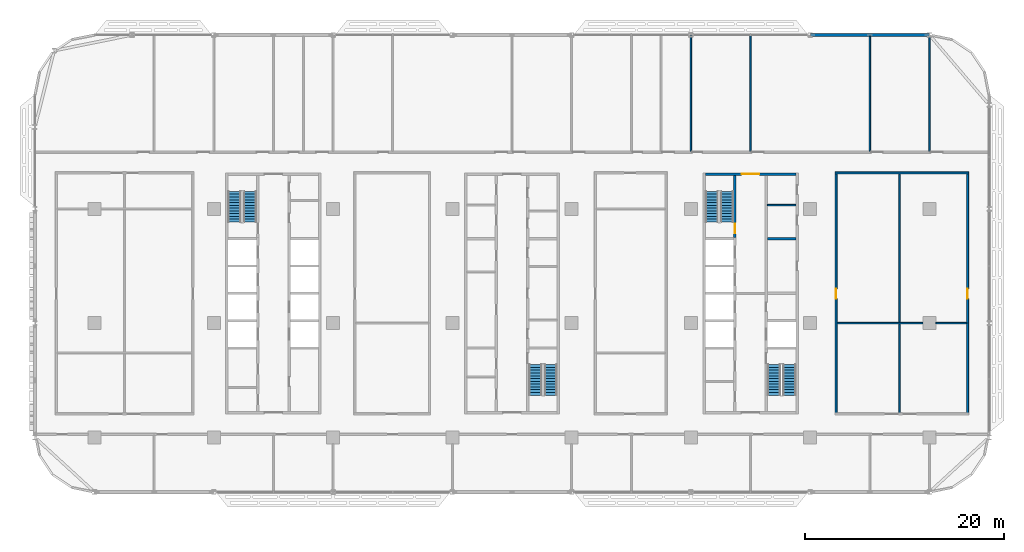
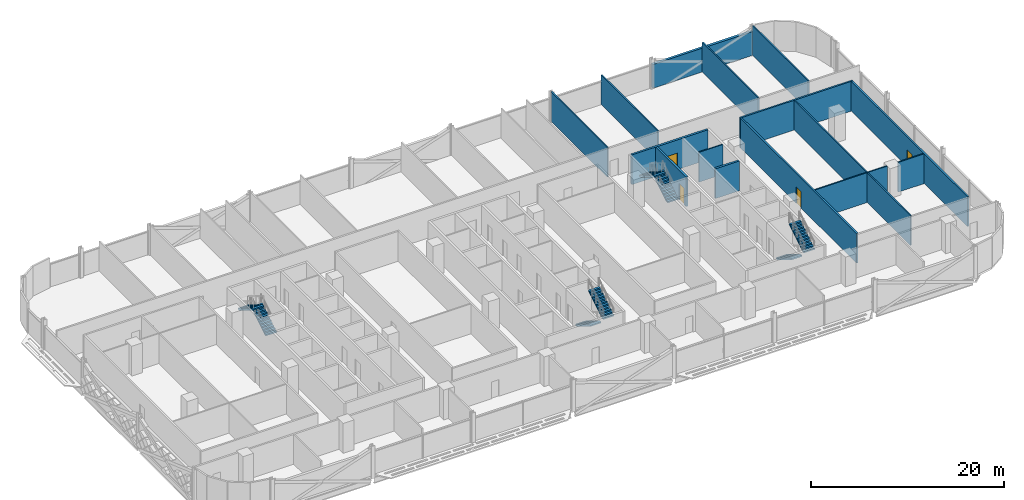
# One storey, part 18 of 28: 15 walls, 8 stair flights, 4 doors, 4 openings, 4 elements without a shape of their own.
"""IFC4 building model written with IfcOpenShell, lengths in metres."""

from ifc_helpers import new_model, si_unit, direction, frame, frame_2d, origin, place, context, subcontext, project, spatial, polyline, rectangle, outline, extrude, material, layer, layer_set, type_object, element, fill, aggregate, save


model = new_model("IFC4")

# Units and contexts
model_context = context("Model", 3, precision=1e-05, world=origin(), true_north=direction((0.0, 1.0)))
body_context = subcontext(model_context, "Body", "Model", "MODEL_VIEW")
ifc_project = project(units=[si_unit("LENGTHUNIT", "METRE"), si_unit("AREAUNIT", "SQUARE_METRE"), si_unit("VOLUMEUNIT", "CUBIC_METRE"), si_unit("PLANEANGLEUNIT", "RADIAN"), si_unit("MASSUNIT", "GRAM", prefix="KILO")], contexts=[model_context])

# Site, building, storey
site_placement = place(None, origin())
site = spatial("IfcSite", under=ifc_project, at=site_placement, CompositionType="ELEMENT")
building_placement = place(site_placement, origin())
building = spatial("IfcBuilding", under=site, at=building_placement, Name="Mahtab Terrace Research Tower", CompositionType="ELEMENT")
storey_placement = place(building_placement, frame((0.0, 0.0, 134.300048828125)))
storey = spatial("IfcBuildingStorey", under=building, at=storey_placement, Name="L31", CompositionType="ELEMENT", Elevation=134.300048828125)

# Wall
ifc_material_1 = material(Name="Gypsum board partition")
ifc_layer_1 = layer(ifc_material_1, 0.14990234375)
ifc_layer_set_1 = layer_set([ifc_layer_1], Name="Core partition 150")
wall_type_1 = type_object("IfcWallType", Name="Core partition 150", PredefinedType="PARTITIONING", material=ifc_layer_set_1)
wall_1_placement = place(storey_placement, frame((25.699951171875, 11.875, 0.0), z_axis=(0.0, 0.0, 1.0), x_axis=(1.0, 0.0, 0.0)))
element("IfcWall", 1, at=wall_1_placement, inside=storey, type_object=wall_type_1, Name="Core wall C pEN888", PredefinedType="PARTITIONING", context=body_context, shape_type="SweptSolid", body=[
    extrude(rectangle(XDim=2.85009765625, YDim=0.14990234375, at=frame_2d((1.425048828125, 0.0))), origin(), (0.0, 0.0, 1.0), 3.760009765625),
])

# Wall, opening, door
ifc_material_2 = material(Name="Concrete C70/85", Category="concrete")
ifc_layer_2 = layer(ifc_material_2, 0.25)
ifc_layer_set_2 = layer_set([ifc_layer_2], Name="Core wall 250")
wall_type_2 = type_object("IfcWallType", Name="Core wall 250", PredefinedType="SOLIDWALL", material=ifc_layer_set_2)
wall_2_placement = place(storey_placement, frame((19.449951171875, 15.0, 0.0), z_axis=(0.0, 0.0, 1.0), x_axis=(1.0, 0.0, 0.0)))
wall_2 = element("IfcWall", 2, at=wall_2_placement, inside=storey, type_object=wall_type_2, Name="Core wall C endN", PredefinedType="SOLIDWALL", context=body_context, shape_type="SweptSolid", body=[
    extrude(rectangle(XDim=9.10009765625, YDim=0.25, at=frame_2d((4.550048828125, 0.0))), origin(), (0.0, 0.0, 1.0), 3.760009765625),
])
opening_1_placement = place(wall_2_placement, frame((3.64990234375, 0.0, 0.0)))
opening_1 = element("IfcOpeningElement", 3, at=opening_1_placement, cuts=wall_2, Name="Opening C-N1", PredefinedType="OPENING", context=body_context, shape_type="SweptSolid", body=[
    extrude(rectangle(XDim=1.800048828125, YDim=2.10009765625, at=frame_2d((0.89990234375, 1.050048828125))), frame((0.0, 0.135009765625, 0.0), z_axis=(0.0, -1.0, 0.0), x_axis=(1.0, 0.0, 0.0)), (0.0, 0.0, 1.0), 0.27001953125),
])
ifc_material_3 = material(Name="Steel fire door", Category="steel")
door_type_1 = type_object("IfcDoorType", Name="Lobby double door 1800x2100 1 HR", OperationType="DOUBLE_DOOR_SINGLE_SWING", PredefinedType="DOOR", material=ifc_material_3)
door_1_placement = place(opening_1_placement, origin())
door_1 = element("IfcDoor", 4, at=door_1_placement, inside=storey, type_object=door_type_1, Name="Core entrance door C N", OperationType="DOUBLE_DOOR_SINGLE_SWING", OverallHeight=2.10009765625, OverallWidth=1.800048828125, PredefinedType="DOOR", context=body_context, shape_type="SweptSolid", body=[
    extrude(rectangle(XDim=1.800048828125, YDim=2.10009765625, at=frame_2d((0.89990234375, 1.050048828125))), frame((0.0, 0.02490234375, 0.0), z_axis=(0.0, -1.0, 0.0), x_axis=(1.0, 0.0, 0.0)), (0.0, 0.0, 1.0), 0.050048828125),
])
fill(opening_1, door_1)

wall_3_placement = place(storey_placement, frame((22.425048828125, 14.875, 0.0), z_axis=(0.0, 0.0, 1.0), x_axis=(0.0, -1.0, 0.0)))
wall_3 = element("IfcWall", 5, at=wall_3_placement, inside=storey, type_object=wall_type_2, Name="Core wall C innerWN", PredefinedType="SOLIDWALL", context=body_context, shape_type="SweptSolid", body=[
    extrude(rectangle(XDim=6.25, YDim=0.25, at=frame_2d((3.125, 0.0))), origin(), (0.0, 0.0, 1.0), 3.760009765625),
])
opening_2_placement = place(wall_3_placement, frame((4.85009765625, 0.0, 0.0)))
opening_2 = element("IfcOpeningElement", 6, at=opening_2_placement, cuts=wall_3, Name="Opening C-ST3", PredefinedType="OPENING", context=body_context, shape_type="SweptSolid", body=[
    extrude(rectangle(XDim=1.0, YDim=2.10009765625, at=frame_2d((0.5, 1.050048828125))), frame((0.0, 0.135009765625, 0.0), z_axis=(0.0, -1.0, 0.0), x_axis=(1.0, 0.0, 0.0)), (0.0, 0.0, 1.0), 0.27001953125),
])
door_type_2 = type_object("IfcDoorType", Name="Stair door 1000x2100 1.5 HR", OperationType="NOTDEFINED", PredefinedType="DOOR", material=ifc_material_3)
door_2_placement = place(opening_2_placement, origin())
door_2 = element("IfcDoor", 7, at=door_2_placement, inside=storey, type_object=door_type_2, Name="Stair door ST3 L31", OperationType="SINGLE_SWING_LEFT", OverallHeight=2.10009765625, OverallWidth=1.0, PredefinedType="DOOR", context=body_context, shape_type="SweptSolid", body=[
    extrude(rectangle(XDim=1.0, YDim=2.10009765625, at=frame_2d((0.5, 1.050048828125))), frame((0.0, 0.02490234375, 0.0), z_axis=(0.0, -1.0, 0.0), x_axis=(1.0, 0.0, 0.0)), (0.0, 0.0, 1.0), 0.050048828125),
])
fill(opening_2, door_2)

# Walls
wall_4_placement = place(storey_placement, frame((25.699951171875, 8.5, 0.0), z_axis=(0.0, 0.0, 1.0), x_axis=(1.0, 0.0, 0.0)))
element("IfcWall", 8, at=wall_4_placement, inside=storey, type_object=wall_type_2, Name="Core wall C divE4", PredefinedType="SOLIDWALL", context=body_context, shape_type="SweptSolid", body=[
    extrude(rectangle(XDim=2.85009765625, YDim=0.25, at=frame_2d((1.425048828125, 0.0))), origin(), (0.0, 0.0, 1.0), 3.760009765625),
])
ifc_material_4 = material(Name="Black aluminium cladding panel", Category="aluminium")
ifc_layer_3 = layer(ifc_material_4, 0.300048828125)
ifc_layer_set_3 = layer_set([ifc_layer_3], Name="Opaque facade wall 300")
wall_type_3 = type_object("IfcWallType", Name="Opaque facade wall 300", PredefinedType="NOTDEFINED", material=ifc_layer_set_3)
wall_5_placement = place(storey_placement, frame((41.982177734375, 29.0, 0.0), z_axis=(0.0, 0.0, 1.0), x_axis=(-1.0, 0.0, 0.0)))
element("IfcWall", 9, at=wall_5_placement, inside=storey, type_object=wall_type_3, Name="Opaque facade wall L31 N3", PredefinedType="NOTDEFINED", context=body_context, shape_type="SweptSolid", body=[
    extrude(rectangle(XDim=11.96435546875, YDim=0.300048828125, at=frame_2d((5.982177734375, 0.0))), origin(), (0.0, 0.0, 1.0), 3.0029296875),
])
ifc_material_5 = material(Name="Gypsum board corridor wall on steel studs", Category="steel")
ifc_layer_4 = layer(ifc_material_5, 0.199951171875)
ifc_layer_set_4 = layer_set([ifc_layer_4], Name="WALL CORRIDOR 200")
wall_type_4 = type_object("IfcWallType", Name="WALL CORRIDOR 200", PredefinedType="PARTITIONING", material=ifc_layer_set_4)
wall_6_placement = place(storey_placement, frame((32.5, 15.125, 0.0), z_axis=(0.0, 0.0, 1.0), x_axis=(1.0, 0.0, 0.0)))
element("IfcWall", 10, at=wall_6_placement, inside=storey, type_object=wall_type_4, Name="L31-W025", PredefinedType="PARTITIONING", context=body_context, shape_type="SweptSolid", body=[
    extrude(rectangle(XDim=13.449951171875, YDim=0.199951171875, at=frame_2d((6.72509765625, 0.0))), origin(), (0.0, 0.0, 1.0), 3.760009765625),
])

# Wall, opening, door
wall_7_placement = place(storey_placement, frame((32.60009765625, -9.02490234375, 0.0), z_axis=(0.0, 0.0, 1.0), x_axis=(0.0, 1.0, 0.0)))
wall_7 = element("IfcWall", 11, at=wall_7_placement, inside=storey, type_object=wall_type_4, Name="L31-W053", PredefinedType="PARTITIONING", context=body_context, shape_type="SweptSolid", body=[
    extrude(rectangle(XDim=24.0498046875, YDim=0.199951171875, at=frame_2d((12.02490234375, 0.0))), origin(), (0.0, 0.0, 1.0), 3.760009765625),
])
opening_3_placement = place(wall_7_placement, frame((11.5, 0.0, 0.0)))
opening_3 = element("IfcOpeningElement", 12, at=opening_3_placement, cuts=wall_7, Name="Opening L31-121", PredefinedType="OPENING", context=body_context, shape_type="SweptSolid", body=[
    extrude(rectangle(XDim=1.0, YDim=2.10009765625, at=frame_2d((0.5, 1.050048828125))), frame((0.0, 0.10986328125, 0.0), z_axis=(0.0, -1.0, 0.0), x_axis=(1.0, 0.0, 0.0)), (0.0, 0.0, 1.0), 0.219970703125),
])
ifc_material_6 = material(Name="Timber door leaf in steel frame", Category="steel")
door_type_3 = type_object("IfcDoorType", Name="DOOR 1000X2100 FD30S", OperationType="SINGLE_SWING_LEFT", PredefinedType="DOOR", material=ifc_material_6)
door_3_placement = place(opening_3_placement, origin())
door_3 = element("IfcDoor", 13, at=door_3_placement, inside=storey, type_object=door_type_3, Name="Door L31-121", OperationType="SINGLE_SWING_RIGHT", OverallHeight=2.10009765625, OverallWidth=1.0, PredefinedType="DOOR", context=body_context, shape_type="SweptSolid", body=[
    extrude(rectangle(XDim=1.0, YDim=2.10009765625, at=frame_2d((0.5, 1.050048828125))), frame((0.0, 0.02490234375, 0.0), z_axis=(0.0, -1.0, 0.0), x_axis=(1.0, 0.0, 0.0)), (0.0, 0.0, 1.0), 0.050048828125),
])
fill(opening_3, door_3)

wall_8_placement = place(storey_placement, frame((45.85009765625, -9.02490234375, 0.0), z_axis=(0.0, 0.0, 1.0), x_axis=(0.0, 1.0, 0.0)))
wall_8 = element("IfcWall", 14, at=wall_8_placement, inside=storey, type_object=wall_type_4, Name="L31-W059", PredefinedType="PARTITIONING", context=body_context, shape_type="SweptSolid", body=[
    extrude(rectangle(XDim=24.0498046875, YDim=0.199951171875, at=frame_2d((12.02490234375, 0.0))), origin(), (0.0, 0.0, 1.0), 3.760009765625),
])
opening_4_placement = place(wall_8_placement, frame((11.5, 0.0, 0.0)))
opening_4 = element("IfcOpeningElement", 15, at=opening_4_placement, cuts=wall_8, Name="Opening L31-122", PredefinedType="OPENING", context=body_context, shape_type="SweptSolid", body=[
    extrude(rectangle(XDim=1.0, YDim=2.10009765625, at=frame_2d((0.5, 1.050048828125))), frame((0.0, 0.10986328125, 0.0), z_axis=(0.0, -1.0, 0.0), x_axis=(1.0, 0.0, 0.0)), (0.0, 0.0, 1.0), 0.219970703125),
])
door_4_placement = place(opening_4_placement, origin())
door_4 = element("IfcDoor", 16, at=door_4_placement, inside=storey, type_object=door_type_3, Name="Door L31-122", OperationType="SINGLE_SWING_LEFT", OverallHeight=2.10009765625, OverallWidth=1.0, PredefinedType="DOOR", context=body_context, shape_type="SweptSolid", body=[
    extrude(rectangle(XDim=1.0, YDim=2.10009765625, at=frame_2d((0.5, 1.050048828125))), frame((0.0, 0.02490234375, 0.0), z_axis=(0.0, -1.0, 0.0), x_axis=(1.0, 0.0, 0.0)), (0.0, 0.0, 1.0), 0.050048828125),
])
fill(opening_4, door_4)

# Walls
ifc_material_7 = material(Name="Gypsum board partition on steel studs", Category="steel")
ifc_layer_5 = layer(ifc_material_7, 0.14990234375)
ifc_layer_set_5 = layer_set([ifc_layer_5], Name="WALL PARTITION 150")
wall_type_5 = type_object("IfcWallType", Name="WALL PARTITION 150", PredefinedType="PARTITIONING", material=ifc_layer_set_5)
wall_9_placement = place(storey_placement, frame((32.699951171875, 0.0, 0.0), z_axis=(0.0, 0.0, 1.0), x_axis=(1.0, 0.0, 0.0)))
element("IfcWall", 17, at=wall_9_placement, inside=storey, type_object=wall_type_5, Name="L31-W017", PredefinedType="PARTITIONING", context=body_context, shape_type="SweptSolid", body=[
    extrude(rectangle(XDim=8.650146484375, YDim=0.14990234375, at=frame_2d((4.3251953125, 0.0))), origin(), (0.0, 0.0, 1.0), 3.760009765625),
])
wall_10_placement = place(storey_placement, frame((42.64990234375, 0.0, 0.0), z_axis=(0.0, 0.0, 1.0), x_axis=(1.0, 0.0, 0.0)))
element("IfcWall", 18, at=wall_10_placement, inside=storey, type_object=wall_type_5, Name="L31-W018", PredefinedType="PARTITIONING", context=body_context, shape_type="SweptSolid", body=[
    extrude(rectangle(XDim=3.10009765625, YDim=0.14990234375, at=frame_2d((1.550048828125, 0.0))), origin(), (0.0, 0.0, 1.0), 3.760009765625),
])
for number, where, z_axis, x_axis, name in (
    (19, (18.0, 17.300048828125, 0.0), (0.0, 0.0, 1.0), (0.0, 1.0, 0.0), "L31-W050"),
    (20, (24.0, 17.300048828125, 0.0), (0.0, 0.0, 1.0), (0.0, 1.0, 0.0), "L31-W052"),
):
    element("IfcWall", number, at=place(storey_placement, frame(where, z_axis=z_axis, x_axis=x_axis)), inside=storey, type_object=wall_type_5, Name=name, PredefinedType="PARTITIONING", context=body_context, shape_type="SweptSolid", body=[
        extrude(rectangle(XDim=11.675048828125, YDim=0.14990234375, at=frame_2d((5.83740234375, 0.0))), origin(), (0.0, 0.0, 1.0), 3.760009765625),
    ])
wall_11_placement = place(storey_placement, frame((36.0, 17.300048828125, 0.0), z_axis=(0.0, 0.0, 1.0), x_axis=(0.0, 1.0, 0.0)))
element("IfcWall", 21, at=wall_11_placement, inside=storey, type_object=wall_type_5, Name="L31-W055", PredefinedType="PARTITIONING", context=body_context, shape_type="SweptSolid", body=[
    extrude(rectangle(XDim=11.550048828125, YDim=0.14990234375, at=frame_2d((5.77490234375, 0.0))), origin(), (0.0, 0.0, 1.0), 3.760009765625),
])
wall_12_placement = place(storey_placement, frame((39.0, -9.02490234375, 0.0), z_axis=(0.0, 0.0, 1.0), x_axis=(0.0, 1.0, 0.0)))
element("IfcWall", 22, at=wall_12_placement, inside=storey, type_object=wall_type_5, Name="L31-W056", PredefinedType="PARTITIONING", context=body_context, shape_type="SweptSolid", body=[
    extrude(rectangle(XDim=24.0498046875, YDim=0.14990234375, at=frame_2d((12.02490234375, 0.0))), origin(), (0.0, 0.0, 1.0), 3.760009765625),
])
wall_13_placement = place(storey_placement, frame((42.0, 17.300048828125, 0.0), z_axis=(0.0, 0.0, 1.0), x_axis=(0.0, 1.0, 0.0)))
element("IfcWall", 23, at=wall_13_placement, inside=storey, type_object=wall_type_5, Name="L31-W058", PredefinedType="PARTITIONING", context=body_context, shape_type="SweptSolid", body=[
    extrude(rectangle(XDim=11.547119140625, YDim=0.14990234375, at=frame_2d((5.7734375, 0.0))), origin(), (0.0, 0.0, 1.0), 3.760009765625),
])

# Stair, stair flights
ifc_material_8 = material(Name="Exit stair half-turn")
stair_type = type_object("IfcStairType", Name="Exit stair half-turn", PredefinedType="HALF_TURN_STAIR", material=ifc_material_8)
stair_1_placement = place(storey_placement, origin())
stair_1 = element("IfcStair", 24, at=stair_1_placement, inside=storey, type_object=stair_type, Name="L31 Protected exit stair ST1", PredefinedType="HALF_TURN_STAIR")
ifc_material_9 = material(Name="Concrete C40/50", Category="concrete")
stair_flight_type = type_object("IfcStairFlightType", Name="Exit stair flight 1300", PredefinedType="STRAIGHT", material=ifc_material_9)
stair_flight_1_placement = place(storey_placement, frame((-26.35009765625, 10.175048828125, 0.0), z_axis=(0.0, 0.0, 1.0), x_axis=(0.0, 1.0, 0.0)))
stair_flight_1 = element("IfcStairFlight", 25, at=stair_flight_1_placement, type_object=stair_flight_type, Name="ST1 flight 1", NumberOfRisers=12, NumberOfTreads=11, PredefinedType="STRAIGHT", RiserHeight=0.170833333, TreadLength=0.28, context=body_context, shape_type="SweptSolid", body=[
    extrude(outline(polyline([(0.0, 0.0), (0.0, 0.1708984375), (0.280029296875, 0.1708984375), (0.280029296875, 0.341552734375), (0.56005859375, 0.341552734375), (0.56005859375, 0.512451171875), (0.840087890625, 0.512451171875), (0.840087890625, 0.683349609375), (1.1201171875, 0.683349609375), (1.1201171875, 0.854248046875), (1.39990234375, 0.854248046875), (1.39990234375, 1.02490234375), (1.679931640625, 1.02490234375), (1.679931640625, 1.19580078125), (1.9599609375, 1.19580078125), (1.9599609375, 1.36669921875), (2.239990234375, 1.36669921875), (2.239990234375, 1.53759765625), (2.52001953125, 1.53759765625), (2.52001953125, 1.708251953125), (2.800048828125, 1.708251953125), (2.800048828125, 1.879150390625), (3.080078125, 1.879150390625), (3.080078125, 2.050048828125), (3.080078125, 1.70361328125), (0.287841796875, 0.0), (0.0, 0.0)])), frame((0.0, 0.64990234375, 0.0), z_axis=(0.0, -1.0, 0.0), x_axis=(1.0, 0.0, 0.0)), (0.0, 0.0, 1.0), 1.300048828125),
])
stair_flight_2_placement = place(storey_placement, frame((-27.89990234375, 13.2548828125, 2.050048828125), z_axis=(0.0, 0.0, 1.0), x_axis=(0.0, -1.0, 0.0)))
stair_flight_2 = element("IfcStairFlight", 26, at=stair_flight_2_placement, type_object=stair_flight_type, Name="ST1 flight 2", NumberOfRisers=12, NumberOfTreads=11, PredefinedType="STRAIGHT", RiserHeight=0.170833333, TreadLength=0.28, context=body_context, shape_type="SweptSolid", body=[
    extrude(outline(polyline([(0.0, 0.0), (0.0, 0.1708984375), (0.280029296875, 0.1708984375), (0.280029296875, 0.341552734375), (0.56005859375, 0.341552734375), (0.56005859375, 0.512451171875), (0.840087890625, 0.512451171875), (0.840087890625, 0.683349609375), (1.1201171875, 0.683349609375), (1.1201171875, 0.854248046875), (1.39990234375, 0.854248046875), (1.39990234375, 1.02490234375), (1.679931640625, 1.02490234375), (1.679931640625, 1.19580078125), (1.9599609375, 1.19580078125), (1.9599609375, 1.36669921875), (2.239990234375, 1.36669921875), (2.239990234375, 1.53759765625), (2.52001953125, 1.53759765625), (2.52001953125, 1.708251953125), (2.800048828125, 1.708251953125), (2.800048828125, 1.879150390625), (3.080078125, 1.879150390625), (3.080078125, 2.050048828125), (3.080078125, 1.70361328125), (0.287841796875, 0.0), (0.0, 0.0)])), frame((0.0, 0.64990234375, 0.0), z_axis=(0.0, -1.0, 0.0), x_axis=(1.0, 0.0, 0.0)), (0.0, 0.0, 1.0), 1.300048828125),
])
aggregate(stair_1, [stair_flight_1, stair_flight_2])

stair_2_placement = place(storey_placement, origin())
stair_2 = element("IfcStair", 27, at=stair_2_placement, inside=storey, type_object=stair_type, Name="L31 Protected exit stair ST2", PredefinedType="HALF_TURN_STAIR")
stair_flight_3_placement = place(storey_placement, frame((2.35009765625, -4.175048828125, 0.0), z_axis=(0.0, 0.0, 1.0), x_axis=(0.0, -1.0, 0.0)))
stair_flight_3 = element("IfcStairFlight", 28, at=stair_flight_3_placement, type_object=stair_flight_type, Name="ST2 flight 1", NumberOfRisers=12, NumberOfTreads=11, PredefinedType="STRAIGHT", RiserHeight=0.170833333, TreadLength=0.28, context=body_context, shape_type="SweptSolid", body=[
    extrude(outline(polyline([(0.0, 0.0), (0.0, 0.1708984375), (0.280029296875, 0.1708984375), (0.280029296875, 0.341552734375), (0.56005859375, 0.341552734375), (0.56005859375, 0.512451171875), (0.840087890625, 0.512451171875), (0.840087890625, 0.683349609375), (1.1201171875, 0.683349609375), (1.1201171875, 0.854248046875), (1.39990234375, 0.854248046875), (1.39990234375, 1.02490234375), (1.679931640625, 1.02490234375), (1.679931640625, 1.19580078125), (1.9599609375, 1.19580078125), (1.9599609375, 1.36669921875), (2.239990234375, 1.36669921875), (2.239990234375, 1.53759765625), (2.52001953125, 1.53759765625), (2.52001953125, 1.708251953125), (2.800048828125, 1.708251953125), (2.800048828125, 1.879150390625), (3.080078125, 1.879150390625), (3.080078125, 2.050048828125), (3.080078125, 1.70361328125), (0.287841796875, 0.0), (0.0, 0.0)])), frame((0.0, 0.64990234375, 0.0), z_axis=(0.0, -1.0, 0.0), x_axis=(1.0, 0.0, 0.0)), (0.0, 0.0, 1.0), 1.300048828125),
])
stair_flight_4_placement = place(storey_placement, frame((3.89990234375, -7.2548828125, 2.050048828125), z_axis=(0.0, 0.0, 1.0), x_axis=(0.0, 1.0, 0.0)))
stair_flight_4 = element("IfcStairFlight", 29, at=stair_flight_4_placement, type_object=stair_flight_type, Name="ST2 flight 2", NumberOfRisers=12, NumberOfTreads=11, PredefinedType="STRAIGHT", RiserHeight=0.170833333, TreadLength=0.28, context=body_context, shape_type="SweptSolid", body=[
    extrude(outline(polyline([(0.0, 0.0), (0.0, 0.1708984375), (0.280029296875, 0.1708984375), (0.280029296875, 0.341552734375), (0.56005859375, 0.341552734375), (0.56005859375, 0.512451171875), (0.840087890625, 0.512451171875), (0.840087890625, 0.683349609375), (1.1201171875, 0.683349609375), (1.1201171875, 0.854248046875), (1.39990234375, 0.854248046875), (1.39990234375, 1.02490234375), (1.679931640625, 1.02490234375), (1.679931640625, 1.19580078125), (1.9599609375, 1.19580078125), (1.9599609375, 1.36669921875), (2.239990234375, 1.36669921875), (2.239990234375, 1.53759765625), (2.52001953125, 1.53759765625), (2.52001953125, 1.708251953125), (2.800048828125, 1.708251953125), (2.800048828125, 1.879150390625), (3.080078125, 1.879150390625), (3.080078125, 2.050048828125), (3.080078125, 1.70361328125), (0.287841796875, 0.0), (0.0, 0.0)])), frame((0.0, 0.64990234375, 0.0), z_axis=(0.0, -1.0, 0.0), x_axis=(1.0, 0.0, 0.0)), (0.0, 0.0, 1.0), 1.300048828125),
])
aggregate(stair_2, [stair_flight_3, stair_flight_4])

stair_3_placement = place(storey_placement, origin())
stair_3 = element("IfcStair", 30, at=stair_3_placement, inside=storey, type_object=stair_type, Name="L31 Protected exit stair ST3", PredefinedType="HALF_TURN_STAIR")
stair_flight_5_placement = place(storey_placement, frame((21.64990234375, 10.175048828125, 0.0), z_axis=(0.0, 0.0, 1.0), x_axis=(0.0, 1.0, 0.0)))
stair_flight_5 = element("IfcStairFlight", 31, at=stair_flight_5_placement, type_object=stair_flight_type, Name="ST3 flight 1", NumberOfRisers=12, NumberOfTreads=11, PredefinedType="STRAIGHT", RiserHeight=0.170833333, TreadLength=0.28, context=body_context, shape_type="SweptSolid", body=[
    extrude(outline(polyline([(0.0, 0.0), (0.0, 0.1708984375), (0.280029296875, 0.1708984375), (0.280029296875, 0.341552734375), (0.56005859375, 0.341552734375), (0.56005859375, 0.512451171875), (0.840087890625, 0.512451171875), (0.840087890625, 0.683349609375), (1.1201171875, 0.683349609375), (1.1201171875, 0.854248046875), (1.39990234375, 0.854248046875), (1.39990234375, 1.02490234375), (1.679931640625, 1.02490234375), (1.679931640625, 1.19580078125), (1.9599609375, 1.19580078125), (1.9599609375, 1.36669921875), (2.239990234375, 1.36669921875), (2.239990234375, 1.53759765625), (2.52001953125, 1.53759765625), (2.52001953125, 1.708251953125), (2.800048828125, 1.708251953125), (2.800048828125, 1.879150390625), (3.080078125, 1.879150390625), (3.080078125, 2.050048828125), (3.080078125, 1.70361328125), (0.287841796875, 0.0), (0.0, 0.0)])), frame((0.0, 0.64990234375, 0.0), z_axis=(0.0, -1.0, 0.0), x_axis=(1.0, 0.0, 0.0)), (0.0, 0.0, 1.0), 1.300048828125),
])
stair_flight_6_placement = place(storey_placement, frame((20.10009765625, 13.2548828125, 2.050048828125), z_axis=(0.0, 0.0, 1.0), x_axis=(0.0, -1.0, 0.0)))
stair_flight_6 = element("IfcStairFlight", 32, at=stair_flight_6_placement, type_object=stair_flight_type, Name="ST3 flight 2", NumberOfRisers=12, NumberOfTreads=11, PredefinedType="STRAIGHT", RiserHeight=0.170833333, TreadLength=0.28, context=body_context, shape_type="SweptSolid", body=[
    extrude(outline(polyline([(0.0, 0.0), (0.0, 0.1708984375), (0.280029296875, 0.1708984375), (0.280029296875, 0.341552734375), (0.56005859375, 0.341552734375), (0.56005859375, 0.512451171875), (0.840087890625, 0.512451171875), (0.840087890625, 0.683349609375), (1.1201171875, 0.683349609375), (1.1201171875, 0.854248046875), (1.39990234375, 0.854248046875), (1.39990234375, 1.02490234375), (1.679931640625, 1.02490234375), (1.679931640625, 1.19580078125), (1.9599609375, 1.19580078125), (1.9599609375, 1.36669921875), (2.239990234375, 1.36669921875), (2.239990234375, 1.53759765625), (2.52001953125, 1.53759765625), (2.52001953125, 1.708251953125), (2.800048828125, 1.708251953125), (2.800048828125, 1.879150390625), (3.080078125, 1.879150390625), (3.080078125, 2.050048828125), (3.080078125, 1.70361328125), (0.287841796875, 0.0), (0.0, 0.0)])), frame((0.0, 0.64990234375, 0.0), z_axis=(0.0, -1.0, 0.0), x_axis=(1.0, 0.0, 0.0)), (0.0, 0.0, 1.0), 1.300048828125),
])
aggregate(stair_3, [stair_flight_5, stair_flight_6])

stair_4_placement = place(storey_placement, origin())
stair_4 = element("IfcStair", 33, at=stair_4_placement, inside=storey, type_object=stair_type, Name="L31 Protected exit stair ST4", PredefinedType="HALF_TURN_STAIR")
stair_flight_7_placement = place(storey_placement, frame((26.35009765625, -4.175048828125, 0.0), z_axis=(0.0, 0.0, 1.0), x_axis=(0.0, -1.0, 0.0)))
stair_flight_7 = element("IfcStairFlight", 34, at=stair_flight_7_placement, type_object=stair_flight_type, Name="ST4 flight 1", NumberOfRisers=12, NumberOfTreads=11, PredefinedType="STRAIGHT", RiserHeight=0.170833333, TreadLength=0.28, context=body_context, shape_type="SweptSolid", body=[
    extrude(outline(polyline([(0.0, 0.0), (0.0, 0.1708984375), (0.280029296875, 0.1708984375), (0.280029296875, 0.341552734375), (0.56005859375, 0.341552734375), (0.56005859375, 0.512451171875), (0.840087890625, 0.512451171875), (0.840087890625, 0.683349609375), (1.1201171875, 0.683349609375), (1.1201171875, 0.854248046875), (1.39990234375, 0.854248046875), (1.39990234375, 1.02490234375), (1.679931640625, 1.02490234375), (1.679931640625, 1.19580078125), (1.9599609375, 1.19580078125), (1.9599609375, 1.36669921875), (2.239990234375, 1.36669921875), (2.239990234375, 1.53759765625), (2.52001953125, 1.53759765625), (2.52001953125, 1.708251953125), (2.800048828125, 1.708251953125), (2.800048828125, 1.879150390625), (3.080078125, 1.879150390625), (3.080078125, 2.050048828125), (3.080078125, 1.70361328125), (0.287841796875, 0.0), (0.0, 0.0)])), frame((0.0, 0.64990234375, 0.0), z_axis=(0.0, -1.0, 0.0), x_axis=(1.0, 0.0, 0.0)), (0.0, 0.0, 1.0), 1.300048828125),
])
stair_flight_8_placement = place(storey_placement, frame((27.89990234375, -7.2548828125, 2.050048828125), z_axis=(0.0, 0.0, 1.0), x_axis=(0.0, 1.0, 0.0)))
stair_flight_8 = element("IfcStairFlight", 35, at=stair_flight_8_placement, type_object=stair_flight_type, Name="ST4 flight 2", NumberOfRisers=12, NumberOfTreads=11, PredefinedType="STRAIGHT", RiserHeight=0.170833333, TreadLength=0.28, context=body_context, shape_type="SweptSolid", body=[
    extrude(outline(polyline([(0.0, 0.0), (0.0, 0.1708984375), (0.280029296875, 0.1708984375), (0.280029296875, 0.341552734375), (0.56005859375, 0.341552734375), (0.56005859375, 0.512451171875), (0.840087890625, 0.512451171875), (0.840087890625, 0.683349609375), (1.1201171875, 0.683349609375), (1.1201171875, 0.854248046875), (1.39990234375, 0.854248046875), (1.39990234375, 1.02490234375), (1.679931640625, 1.02490234375), (1.679931640625, 1.19580078125), (1.9599609375, 1.19580078125), (1.9599609375, 1.36669921875), (2.239990234375, 1.36669921875), (2.239990234375, 1.53759765625), (2.52001953125, 1.53759765625), (2.52001953125, 1.708251953125), (2.800048828125, 1.708251953125), (2.800048828125, 1.879150390625), (3.080078125, 1.879150390625), (3.080078125, 2.050048828125), (3.080078125, 1.70361328125), (0.287841796875, 0.0), (0.0, 0.0)])), frame((0.0, 0.64990234375, 0.0), z_axis=(0.0, -1.0, 0.0), x_axis=(1.0, 0.0, 0.0)), (0.0, 0.0, 1.0), 1.300048828125),
])
aggregate(stair_4, [stair_flight_7, stair_flight_8])

save(model, "model.ifc")
